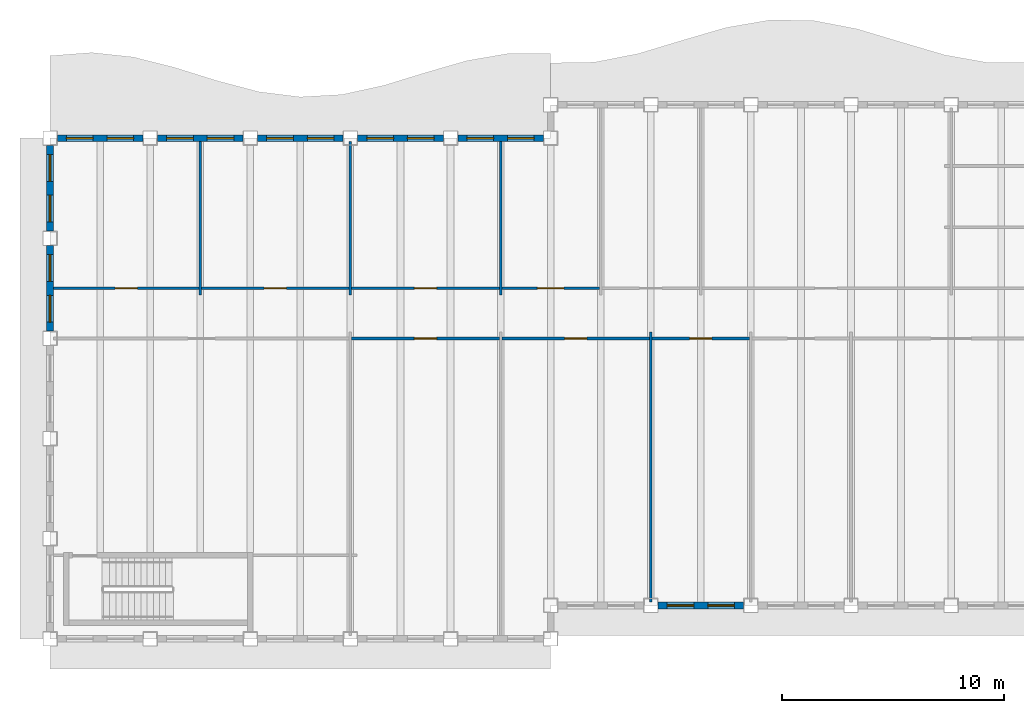
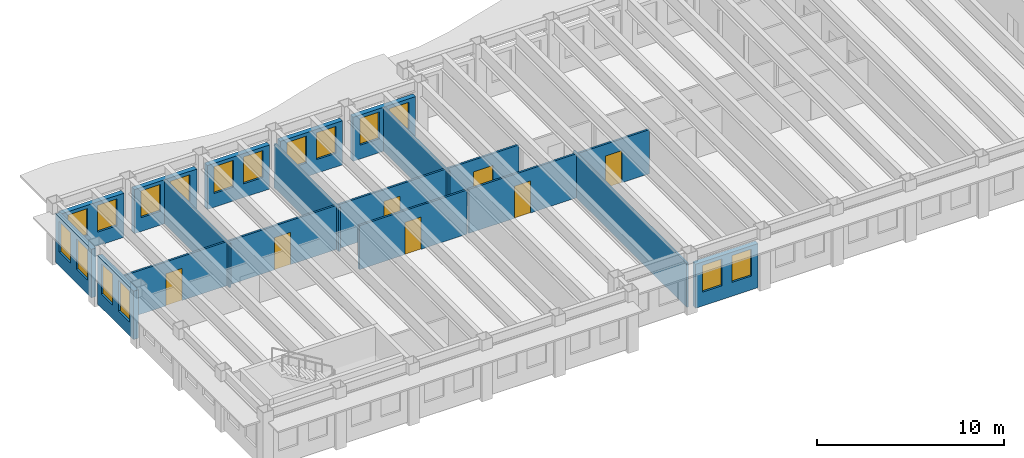
# One storey, part 3 of 12: 19 walls, 16 windows, 7 doors, 23 openings.
"""IFC4 building model written with IfcOpenShell, lengths in metres."""

from ifc_helpers import new_model, si_unit, direction, frame, frame_2d, origin, place, context, subcontext, project, spatial, rectangle, extrude, material, layer, layer_set, type_object, element, fill, save


model = new_model("IFC4")

# Units and contexts
model_context = context("Model", 3, precision=1e-05, world=origin(), true_north=direction((0.0, 1.0)))
body_context = subcontext(model_context, "Body", "Model", "MODEL_VIEW")
ifc_project = project(units=[si_unit("LENGTHUNIT", "METRE"), si_unit("AREAUNIT", "SQUARE_METRE"), si_unit("VOLUMEUNIT", "CUBIC_METRE"), si_unit("PLANEANGLEUNIT", "RADIAN"), si_unit("MASSUNIT", "GRAM", prefix="KILO")], contexts=[model_context])

# Site, building, storey
site_placement = place(None, origin())
site = spatial("IfcSite", under=ifc_project, at=site_placement, CompositionType="ELEMENT")
building_placement = place(site_placement, origin())
building = spatial("IfcBuilding", under=site, at=building_placement, Name="Sennacour Bend Tower", CompositionType="ELEMENT")
storey_placement = place(building_placement, frame((0.0, 0.0, 285.0)))
storey = spatial("IfcBuildingStorey", under=building, at=storey_placement, Name="L66", CompositionType="ELEMENT", Elevation=285.0)

# Walls
ifc_material_1 = material(Name="Plasterboard partition on steel studs", Category="steel")
ifc_layer_1 = layer(ifc_material_1, 0.1201171875, Name="Plasterboard partition on steel studs", Category="steel")
ifc_layer_set_1 = layer_set([ifc_layer_1], Name="Plasterboard partition on steel studs")
wall_type_1 = type_object("IfcWallType", Name="Partition 120", PredefinedType="PARTITIONING", material=ifc_layer_set_1)
for number, where, z_axis, x_axis, name in (
    (1, (6.75, 15.449951171875, 0.0), (0.0, 0.0, 1.0), (0.0, 1.0, 0.0), "P-L66-W003a"),
    (2, (13.5, 15.449951171875, 0.0), (0.0, 0.0, 1.0), (0.0, 1.0, 0.0), "P-L66-W006a"),
    (3, (20.25, 15.449951171875, 0.0), (0.0, 0.0, 1.0), (0.0, 1.0, 0.0), "P-L66-W008a"),
):
    element("IfcWall", number, at=place(storey_placement, frame(where, z_axis=z_axis, x_axis=x_axis)), inside=storey, type_object=wall_type_1, Name=name, PredefinedType="PARTITIONING", context=body_context, shape_type="SweptSolid", body=[
        extrude(rectangle(XDim=6.900146484375, YDim=0.1201171875, at=frame_2d((3.4501953125, 0.0))), origin(), (0.0, 0.0, 1.0), 2.8701171875),
    ])
wall_1_placement = place(storey_placement, frame((27.0, 1.64990234375, 0.0), z_axis=(0.0, 0.0, 1.0), x_axis=(0.0, 1.0, 0.0)))
element("IfcWall", 4, at=wall_1_placement, inside=storey, type_object=wall_type_1, Name="P-L66-W010a", PredefinedType="PARTITIONING", context=body_context, shape_type="SweptSolid", body=[
    extrude(rectangle(XDim=12.150146484375, YDim=0.1201171875, at=frame_2d((6.0751953125, 0.0))), origin(), (0.0, 0.0, 1.0), 2.8701171875),
])

# Wall, opening, door
wall_2_placement = place(storey_placement, frame((13.56005859375, 13.5, 0.0), z_axis=(0.0, 0.0, 1.0), x_axis=(1.0, 0.0, 0.0)))
wall_2 = element("IfcWall", 5, at=wall_2_placement, inside=storey, type_object=wall_type_1, Name="P-L66-W040ab", PredefinedType="PARTITIONING", context=body_context, shape_type="SweptSolid", body=[
    extrude(rectangle(XDim=6.6298828125, YDim=0.1201171875, at=frame_2d((3.31494140625, 0.0))), origin(), (0.0, 0.0, 1.0), 2.8701171875),
])
opening_1_placement = place(wall_2_placement, frame((2.81494140625, 0.0, 0.0)))
opening_1 = element("IfcOpeningElement", 6, at=opening_1_placement, cuts=wall_2, Name="Opening OD2", PredefinedType="OPENING", context=body_context, shape_type="SweptSolid", body=[
    extrude(rectangle(XDim=1.0, YDim=2.10009765625, at=frame_2d((0.5, 1.050048828125))), frame((0.0, 0.070068359375, 0.0), z_axis=(0.0, -1.0, 0.0), x_axis=(1.0, 0.0, 0.0)), (0.0, 0.0, 1.0), 0.14013671875),
])
ifc_material_2 = material(Name="Timber", Category="wood")
door_type_1 = type_object("IfcDoorType", Name="DR-OFFICE-1000", OperationType="NOTDEFINED", PredefinedType="DOOR", material=ifc_material_2)
door_1_placement = place(opening_1_placement, origin())
door_1 = element("IfcDoor", 7, at=door_1_placement, inside=storey, type_object=door_type_1, Name="Door", OperationType="SINGLE_SWING_LEFT", OverallHeight=2.10009765625, OverallWidth=1.0, PredefinedType="DOOR", context=body_context, shape_type="SweptSolid", body=[
    extrude(rectangle(XDim=1.0, YDim=2.10009765625, at=frame_2d((0.5, 1.050048828125))), frame((0.0, 0.02490234375, 0.0), z_axis=(0.0, -1.0, 0.0), x_axis=(1.0, 0.0, 0.0)), (0.0, 0.0, 1.0), 0.050048828125),
])
fill(opening_1, door_1)

wall_3_placement = place(storey_placement, frame((20.31005859375, 13.5, 0.0), z_axis=(0.0, 0.0, 1.0), x_axis=(1.0, 0.0, 0.0)))
wall_3 = element("IfcWall", 8, at=wall_3_placement, inside=storey, type_object=wall_type_1, Name="P-L66-W040ac", PredefinedType="PARTITIONING", context=body_context, shape_type="SweptSolid", body=[
    extrude(rectangle(XDim=6.6298828125, YDim=0.1201171875, at=frame_2d((3.31494140625, 0.0))), origin(), (0.0, 0.0, 1.0), 2.8701171875),
])
opening_2_placement = place(wall_3_placement, frame((2.81494140625, 0.0, 0.0)))
opening_2 = element("IfcOpeningElement", 9, at=opening_2_placement, cuts=wall_3, Name="Opening OD2", PredefinedType="OPENING", context=body_context, shape_type="SweptSolid", body=[
    extrude(rectangle(XDim=1.0, YDim=2.10009765625, at=frame_2d((0.5, 1.050048828125))), frame((0.0, 0.070068359375, 0.0), z_axis=(0.0, -1.0, 0.0), x_axis=(1.0, 0.0, 0.0)), (0.0, 0.0, 1.0), 0.14013671875),
])
door_2_placement = place(opening_2_placement, origin())
door_2 = element("IfcDoor", 10, at=door_2_placement, inside=storey, type_object=door_type_1, Name="Door", OperationType="SINGLE_SWING_LEFT", OverallHeight=2.10009765625, OverallWidth=1.0, PredefinedType="DOOR", context=body_context, shape_type="SweptSolid", body=[
    extrude(rectangle(XDim=1.0, YDim=2.10009765625, at=frame_2d((0.5, 1.050048828125))), frame((0.0, 0.02490234375, 0.0), z_axis=(0.0, -1.0, 0.0), x_axis=(1.0, 0.0, 0.0)), (0.0, 0.0, 1.0), 0.050048828125),
])
fill(opening_2, door_2)

wall_4_placement = place(storey_placement, frame((27.06005859375, 13.5, 0.0), z_axis=(0.0, 0.0, 1.0), x_axis=(1.0, 0.0, 0.0)))
wall_4 = element("IfcWall", 11, at=wall_4_placement, inside=storey, type_object=wall_type_1, Name="P-L66-W040ad", PredefinedType="PARTITIONING", context=body_context, shape_type="SweptSolid", body=[
    extrude(rectangle(XDim=4.3798828125, YDim=0.1201171875, at=frame_2d((2.18994140625, 0.0))), origin(), (0.0, 0.0, 1.0), 2.8701171875),
])
opening_3_placement = place(wall_4_placement, frame((1.68994140625, 0.0, 0.0)))
opening_3 = element("IfcOpeningElement", 12, at=opening_3_placement, cuts=wall_4, Name="Opening OD2", PredefinedType="OPENING", context=body_context, shape_type="SweptSolid", body=[
    extrude(rectangle(XDim=1.0, YDim=2.10009765625, at=frame_2d((0.5, 1.050048828125))), frame((0.0, 0.070068359375, 0.0), z_axis=(0.0, -1.0, 0.0), x_axis=(1.0, 0.0, 0.0)), (0.0, 0.0, 1.0), 0.14013671875),
])
door_3_placement = place(opening_3_placement, origin())
door_3 = element("IfcDoor", 13, at=door_3_placement, inside=storey, type_object=door_type_1, Name="Door", OperationType="SINGLE_SWING_LEFT", OverallHeight=2.10009765625, OverallWidth=1.0, PredefinedType="DOOR", context=body_context, shape_type="SweptSolid", body=[
    extrude(rectangle(XDim=1.0, YDim=2.10009765625, at=frame_2d((0.5, 1.050048828125))), frame((0.0, 0.02490234375, 0.0), z_axis=(0.0, -1.0, 0.0), x_axis=(1.0, 0.0, 0.0)), (0.0, 0.0, 1.0), 0.050048828125),
])
fill(opening_3, door_3)

wall_5_placement = place(storey_placement, frame((0.14990234375, 15.75, 0.0), z_axis=(0.0, 0.0, 1.0), x_axis=(1.0, 0.0, 0.0)))
wall_5 = element("IfcWall", 14, at=wall_5_placement, inside=storey, type_object=wall_type_1, Name="P-L66-W043aa", PredefinedType="PARTITIONING", context=body_context, shape_type="SweptSolid", body=[
    extrude(rectangle(XDim=6.5400390625, YDim=0.1201171875, at=frame_2d((3.27001953125, 0.0))), origin(), (0.0, 0.0, 1.0), 2.8701171875),
])
opening_4_placement = place(wall_5_placement, frame((2.780029296875, 0.0, 0.0)))
opening_4 = element("IfcOpeningElement", 15, at=opening_4_placement, cuts=wall_5, Name="Opening OD2", PredefinedType="OPENING", context=body_context, shape_type="SweptSolid", body=[
    extrude(rectangle(XDim=1.0, YDim=2.10009765625, at=frame_2d((0.5, 1.050048828125))), frame((0.0, 0.070068359375, 0.0), z_axis=(0.0, -1.0, 0.0), x_axis=(1.0, 0.0, 0.0)), (0.0, 0.0, 1.0), 0.14013671875),
])
door_4_placement = place(opening_4_placement, origin())
door_4 = element("IfcDoor", 16, at=door_4_placement, inside=storey, type_object=door_type_1, Name="Door", OperationType="SINGLE_SWING_RIGHT", OverallHeight=2.10009765625, OverallWidth=1.0, PredefinedType="DOOR", context=body_context, shape_type="SweptSolid", body=[
    extrude(rectangle(XDim=1.0, YDim=2.10009765625, at=frame_2d((0.5, 1.050048828125))), frame((0.0, 0.02490234375, 0.0), z_axis=(0.0, -1.0, 0.0), x_axis=(1.0, 0.0, 0.0)), (0.0, 0.0, 1.0), 0.050048828125),
])
fill(opening_4, door_4)

wall_6_placement = place(storey_placement, frame((6.81005859375, 15.75, 0.0), z_axis=(0.0, 0.0, 1.0), x_axis=(1.0, 0.0, 0.0)))
wall_6 = element("IfcWall", 17, at=wall_6_placement, inside=storey, type_object=wall_type_1, Name="P-L66-W043ab", PredefinedType="PARTITIONING", context=body_context, shape_type="SweptSolid", body=[
    extrude(rectangle(XDim=6.6298828125, YDim=0.1201171875, at=frame_2d((3.31494140625, 0.0))), origin(), (0.0, 0.0, 1.0), 2.8701171875),
])
opening_5_placement = place(wall_6_placement, frame((2.81494140625, 0.0, 0.0)))
opening_5 = element("IfcOpeningElement", 18, at=opening_5_placement, cuts=wall_6, Name="Opening OD2", PredefinedType="OPENING", context=body_context, shape_type="SweptSolid", body=[
    extrude(rectangle(XDim=1.0, YDim=2.10009765625, at=frame_2d((0.5, 1.050048828125))), frame((0.0, 0.070068359375, 0.0), z_axis=(0.0, -1.0, 0.0), x_axis=(1.0, 0.0, 0.0)), (0.0, 0.0, 1.0), 0.14013671875),
])
door_5_placement = place(opening_5_placement, origin())
door_5 = element("IfcDoor", 19, at=door_5_placement, inside=storey, type_object=door_type_1, Name="Door", OperationType="SINGLE_SWING_LEFT", OverallHeight=2.10009765625, OverallWidth=1.0, PredefinedType="DOOR", context=body_context, shape_type="SweptSolid", body=[
    extrude(rectangle(XDim=1.0, YDim=2.10009765625, at=frame_2d((0.5, 1.050048828125))), frame((0.0, 0.02490234375, 0.0), z_axis=(0.0, -1.0, 0.0), x_axis=(1.0, 0.0, 0.0)), (0.0, 0.0, 1.0), 0.050048828125),
])
fill(opening_5, door_5)

wall_7_placement = place(storey_placement, frame((13.56005859375, 15.75, 0.0), z_axis=(0.0, 0.0, 1.0), x_axis=(1.0, 0.0, 0.0)))
wall_7 = element("IfcWall", 20, at=wall_7_placement, inside=storey, type_object=wall_type_1, Name="P-L66-W043ac", PredefinedType="PARTITIONING", context=body_context, shape_type="SweptSolid", body=[
    extrude(rectangle(XDim=6.6298828125, YDim=0.1201171875, at=frame_2d((3.31494140625, 0.0))), origin(), (0.0, 0.0, 1.0), 2.8701171875),
])
opening_6_placement = place(wall_7_placement, frame((2.81494140625, 0.0, 0.0)))
opening_6 = element("IfcOpeningElement", 21, at=opening_6_placement, cuts=wall_7, Name="Opening OD2", PredefinedType="OPENING", context=body_context, shape_type="SweptSolid", body=[
    extrude(rectangle(XDim=1.0, YDim=2.10009765625, at=frame_2d((0.5, 1.050048828125))), frame((0.0, 0.070068359375, 0.0), z_axis=(0.0, -1.0, 0.0), x_axis=(1.0, 0.0, 0.0)), (0.0, 0.0, 1.0), 0.14013671875),
])
door_6_placement = place(opening_6_placement, origin())
door_6 = element("IfcDoor", 22, at=door_6_placement, inside=storey, type_object=door_type_1, Name="Door", OperationType="SINGLE_SWING_LEFT", OverallHeight=2.10009765625, OverallWidth=1.0, PredefinedType="DOOR", context=body_context, shape_type="SweptSolid", body=[
    extrude(rectangle(XDim=1.0, YDim=2.10009765625, at=frame_2d((0.5, 1.050048828125))), frame((0.0, 0.02490234375, 0.0), z_axis=(0.0, -1.0, 0.0), x_axis=(1.0, 0.0, 0.0)), (0.0, 0.0, 1.0), 0.050048828125),
])
fill(opening_6, door_6)

wall_8_placement = place(storey_placement, frame((20.31005859375, 15.75, 0.0), z_axis=(0.0, 0.0, 1.0), x_axis=(1.0, 0.0, 0.0)))
wall_8 = element("IfcWall", 23, at=wall_8_placement, inside=storey, type_object=wall_type_1, Name="P-L66-W043ad", PredefinedType="PARTITIONING", context=body_context, shape_type="SweptSolid", body=[
    extrude(rectangle(XDim=4.3798828125, YDim=0.1201171875, at=frame_2d((2.18994140625, 0.0))), origin(), (0.0, 0.0, 1.0), 2.8701171875),
])
opening_7_placement = place(wall_8_placement, frame((1.58984375, 0.0, 0.0)))
opening_7 = element("IfcOpeningElement", 24, at=opening_7_placement, cuts=wall_8, Name="Opening OD", PredefinedType="OPENING", context=body_context, shape_type="SweptSolid", body=[
    extrude(rectangle(XDim=1.199951171875, YDim=2.10009765625, at=frame_2d((0.60009765625, 1.050048828125))), frame((0.0, 0.070068359375, 0.0), z_axis=(0.0, -1.0, 0.0), x_axis=(1.0, 0.0, 0.0)), (0.0, 0.0, 1.0), 0.14013671875),
])
door_type_2 = type_object("IfcDoorType", Name="DR-OFFICE-1200", OperationType="NOTDEFINED", PredefinedType="DOOR", material=ifc_material_2)
door_7_placement = place(opening_7_placement, origin())
door_7 = element("IfcDoor", 25, at=door_7_placement, inside=storey, type_object=door_type_2, Name="Door", OperationType="SINGLE_SWING_LEFT", OverallHeight=2.10009765625, OverallWidth=1.199951171875, PredefinedType="DOOR", context=body_context, shape_type="SweptSolid", body=[
    extrude(rectangle(XDim=1.199951171875, YDim=2.10009765625, at=frame_2d((0.60009765625, 1.050048828125))), frame((0.0, 0.02490234375, 0.0), z_axis=(0.0, -1.0, 0.0), x_axis=(1.0, 0.0, 0.0)), (0.0, 0.0, 1.0), 0.050048828125),
])
fill(opening_7, door_7)

# Wall, openings, windows
ifc_material_3 = material(Name="Warm limestone cladding", Category="masonry")
ifc_layer_2 = layer(ifc_material_3, 0.050048828125, Name="Warm limestone cladding", Category="masonry")
ifc_material_4 = material(Name="Precast concrete C40/50", Category="concrete")
ifc_layer_3 = layer(ifc_material_4, 0.25, Name="Precast concrete C40/50", Category="concrete")
ifc_layer_set_2 = layer_set([ifc_layer_2, ifc_layer_3], Name="Precast concrete C40/50 with limestone cladding")
wall_type_2 = type_object("IfcWallType", Name="STONE-CLAD PRECAST SPANDREL 300", PredefinedType="STANDARD", material=ifc_layer_set_2)
wall_9_placement = place(storey_placement, frame((27.324951171875, 1.5, 0.0), z_axis=(0.0, 0.0, 1.0), x_axis=(1.0, 0.0, 0.0)))
wall_9 = element("IfcWall", 26, at=wall_9_placement, inside=storey, type_object=wall_type_2, Name="Stone spandrel and pier wall L66 01.01", PredefinedType="STANDARD", context=body_context, shape_type="SweptSolid", body=[
    extrude(rectangle(XDim=3.85009765625, YDim=0.300048828125, at=frame_2d((1.925048828125, 0.0))), origin(), (0.0, 0.0, 1.0), 2.8701171875),
])
opening_8_placement = place(wall_9_placement, frame((0.41259765625, 0.0, 0.89990234375)))
opening_8 = element("IfcOpeningElement", 27, at=opening_8_placement, cuts=wall_9, Name="Opening W16", PredefinedType="OPENING", context=body_context, shape_type="SweptSolid", body=[
    extrude(rectangle(XDim=1.199951171875, YDim=1.75, at=frame_2d((0.60009765625, 0.875))), frame((0.0, 0.16015625, 0.0), z_axis=(0.0, -1.0, 0.0), x_axis=(1.0, 0.0, 0.0)), (0.0, 0.0, 1.0), 0.320068359375),
])
opening_9_placement = place(wall_9_placement, frame((2.237548828125, 0.0, 0.89990234375)))
opening_9 = element("IfcOpeningElement", 28, at=opening_9_placement, cuts=wall_9, Name="Opening W16", PredefinedType="OPENING", context=body_context, shape_type="SweptSolid", body=[
    extrude(rectangle(XDim=1.199951171875, YDim=1.75, at=frame_2d((0.60009765625, 0.875))), frame((0.0, 0.16015625, 0.0), z_axis=(0.0, -1.0, 0.0), x_axis=(1.0, 0.0, 0.0)), (0.0, 0.0, 1.0), 0.320068359375),
])
ifc_material_5 = material(Name="Clear low-emissivity glass", Category="glass")
window_type_1 = type_object("IfcWindowType", Name="WIN-RIBBON-1200x1750", PartitioningType="SINGLE_PANEL", PredefinedType="WINDOW", material=ifc_material_5)
window_1_placement = place(opening_8_placement, origin())
window_1 = element("IfcWindow", 29, at=window_1_placement, inside=storey, type_object=window_type_1, Name="Ribbon window L66 01.01.0", OverallHeight=1.75, OverallWidth=1.199951171875, PartitioningType="SINGLE_PANEL", PredefinedType="WINDOW", context=body_context, shape_type="SweptSolid", body=[
    extrude(rectangle(XDim=1.199951171875, YDim=1.75, at=frame_2d((0.60009765625, 0.875))), frame((0.0, 0.030029296875, 0.0), z_axis=(0.0, -1.0, 0.0), x_axis=(1.0, 0.0, 0.0)), (0.0, 0.0, 1.0), 0.06005859375),
])
fill(opening_8, window_1)
window_2_placement = place(opening_9_placement, origin())
window_2 = element("IfcWindow", 30, at=window_2_placement, inside=storey, type_object=window_type_1, Name="Ribbon window L66 01.01.1", OverallHeight=1.75, OverallWidth=1.199951171875, PartitioningType="SINGLE_PANEL", PredefinedType="WINDOW", context=body_context, shape_type="SweptSolid", body=[
    extrude(rectangle(XDim=1.199951171875, YDim=1.75, at=frame_2d((0.60009765625, 0.875))), frame((0.0, 0.030029296875, 0.0), z_axis=(0.0, -1.0, 0.0), x_axis=(1.0, 0.0, 0.0)), (0.0, 0.0, 1.0), 0.06005859375),
])
fill(opening_9, window_2)

wall_10_placement = place(storey_placement, frame((22.175048828125, 22.5, 0.0), z_axis=(0.0, 0.0, 1.0), x_axis=(-1.0, 0.0, 0.0)))
wall_10 = element("IfcWall", 31, at=wall_10_placement, inside=storey, type_object=wall_type_2, Name="Stone spandrel and pier wall L66 09.00", PredefinedType="STANDARD", context=body_context, shape_type="SweptSolid", body=[
    extrude(rectangle(XDim=3.85009765625, YDim=0.300048828125, at=frame_2d((1.925048828125, 0.0))), origin(), (0.0, 0.0, 1.0), 2.8701171875),
])
opening_10_placement = place(wall_10_placement, frame((0.41259765625, 0.0, 0.89990234375)))
opening_10 = element("IfcOpeningElement", 32, at=opening_10_placement, cuts=wall_10, Name="Opening W16", PredefinedType="OPENING", context=body_context, shape_type="SweptSolid", body=[
    extrude(rectangle(XDim=1.199951171875, YDim=1.75, at=frame_2d((0.60009765625, 0.875))), frame((0.0, 0.16015625, 0.0), z_axis=(0.0, -1.0, 0.0), x_axis=(1.0, 0.0, 0.0)), (0.0, 0.0, 1.0), 0.320068359375),
])
opening_11_placement = place(wall_10_placement, frame((2.237548828125, 0.0, 0.89990234375)))
opening_11 = element("IfcOpeningElement", 33, at=opening_11_placement, cuts=wall_10, Name="Opening W16", PredefinedType="OPENING", context=body_context, shape_type="SweptSolid", body=[
    extrude(rectangle(XDim=1.199951171875, YDim=1.75, at=frame_2d((0.60009765625, 0.875))), frame((0.0, 0.16015625, 0.0), z_axis=(0.0, -1.0, 0.0), x_axis=(1.0, 0.0, 0.0)), (0.0, 0.0, 1.0), 0.320068359375),
])
window_3_placement = place(opening_10_placement, origin())
window_3 = element("IfcWindow", 34, at=window_3_placement, inside=storey, type_object=window_type_1, Name="Ribbon window L66 09.00.0", OverallHeight=1.75, OverallWidth=1.199951171875, PartitioningType="SINGLE_PANEL", PredefinedType="WINDOW", context=body_context, shape_type="SweptSolid", body=[
    extrude(rectangle(XDim=1.199951171875, YDim=1.75, at=frame_2d((0.60009765625, 0.875))), frame((0.0, 0.030029296875, 0.0), z_axis=(0.0, -1.0, 0.0), x_axis=(1.0, 0.0, 0.0)), (0.0, 0.0, 1.0), 0.06005859375),
])
fill(opening_10, window_3)
window_4_placement = place(opening_11_placement, origin())
window_4 = element("IfcWindow", 35, at=window_4_placement, inside=storey, type_object=window_type_1, Name="Ribbon window L66 09.00.1", OverallHeight=1.75, OverallWidth=1.199951171875, PartitioningType="SINGLE_PANEL", PredefinedType="WINDOW", context=body_context, shape_type="SweptSolid", body=[
    extrude(rectangle(XDim=1.199951171875, YDim=1.75, at=frame_2d((0.60009765625, 0.875))), frame((0.0, 0.030029296875, 0.0), z_axis=(0.0, -1.0, 0.0), x_axis=(1.0, 0.0, 0.0)), (0.0, 0.0, 1.0), 0.06005859375),
])
fill(opening_11, window_4)

wall_11_placement = place(storey_placement, frame((17.675048828125, 22.5, 0.0), z_axis=(0.0, 0.0, 1.0), x_axis=(-1.0, 0.0, 0.0)))
wall_11 = element("IfcWall", 36, at=wall_11_placement, inside=storey, type_object=wall_type_2, Name="Stone spandrel and pier wall L66 09.01", PredefinedType="STANDARD", context=body_context, shape_type="SweptSolid", body=[
    extrude(rectangle(XDim=3.85009765625, YDim=0.300048828125, at=frame_2d((1.925048828125, 0.0))), origin(), (0.0, 0.0, 1.0), 2.8701171875),
])
opening_12_placement = place(wall_11_placement, frame((0.41259765625, 0.0, 0.89990234375)))
opening_12 = element("IfcOpeningElement", 37, at=opening_12_placement, cuts=wall_11, Name="Opening W16", PredefinedType="OPENING", context=body_context, shape_type="SweptSolid", body=[
    extrude(rectangle(XDim=1.199951171875, YDim=1.75, at=frame_2d((0.60009765625, 0.875))), frame((0.0, 0.16015625, 0.0), z_axis=(0.0, -1.0, 0.0), x_axis=(1.0, 0.0, 0.0)), (0.0, 0.0, 1.0), 0.320068359375),
])
opening_13_placement = place(wall_11_placement, frame((2.237548828125, 0.0, 0.89990234375)))
opening_13 = element("IfcOpeningElement", 38, at=opening_13_placement, cuts=wall_11, Name="Opening W16", PredefinedType="OPENING", context=body_context, shape_type="SweptSolid", body=[
    extrude(rectangle(XDim=1.199951171875, YDim=1.75, at=frame_2d((0.60009765625, 0.875))), frame((0.0, 0.16015625, 0.0), z_axis=(0.0, -1.0, 0.0), x_axis=(1.0, 0.0, 0.0)), (0.0, 0.0, 1.0), 0.320068359375),
])
window_5_placement = place(opening_12_placement, origin())
window_5 = element("IfcWindow", 39, at=window_5_placement, inside=storey, type_object=window_type_1, Name="Ribbon window L66 09.01.0", OverallHeight=1.75, OverallWidth=1.199951171875, PartitioningType="SINGLE_PANEL", PredefinedType="WINDOW", context=body_context, shape_type="SweptSolid", body=[
    extrude(rectangle(XDim=1.199951171875, YDim=1.75, at=frame_2d((0.60009765625, 0.875))), frame((0.0, 0.030029296875, 0.0), z_axis=(0.0, -1.0, 0.0), x_axis=(1.0, 0.0, 0.0)), (0.0, 0.0, 1.0), 0.06005859375),
])
fill(opening_12, window_5)
window_6_placement = place(opening_13_placement, origin())
window_6 = element("IfcWindow", 40, at=window_6_placement, inside=storey, type_object=window_type_1, Name="Ribbon window L66 09.01.1", OverallHeight=1.75, OverallWidth=1.199951171875, PartitioningType="SINGLE_PANEL", PredefinedType="WINDOW", context=body_context, shape_type="SweptSolid", body=[
    extrude(rectangle(XDim=1.199951171875, YDim=1.75, at=frame_2d((0.60009765625, 0.875))), frame((0.0, 0.030029296875, 0.0), z_axis=(0.0, -1.0, 0.0), x_axis=(1.0, 0.0, 0.0)), (0.0, 0.0, 1.0), 0.06005859375),
])
fill(opening_13, window_6)

wall_12_placement = place(storey_placement, frame((13.175048828125, 22.5, 0.0), z_axis=(0.0, 0.0, 1.0), x_axis=(-1.0, 0.0, 0.0)))
wall_12 = element("IfcWall", 41, at=wall_12_placement, inside=storey, type_object=wall_type_2, Name="Stone spandrel and pier wall L66 09.02", PredefinedType="STANDARD", context=body_context, shape_type="SweptSolid", body=[
    extrude(rectangle(XDim=3.85009765625, YDim=0.300048828125, at=frame_2d((1.925048828125, 0.0))), origin(), (0.0, 0.0, 1.0), 2.8701171875),
])
opening_14_placement = place(wall_12_placement, frame((0.41259765625, 0.0, 0.89990234375)))
opening_14 = element("IfcOpeningElement", 42, at=opening_14_placement, cuts=wall_12, Name="Opening W16", PredefinedType="OPENING", context=body_context, shape_type="SweptSolid", body=[
    extrude(rectangle(XDim=1.199951171875, YDim=1.75, at=frame_2d((0.60009765625, 0.875))), frame((0.0, 0.16015625, 0.0), z_axis=(0.0, -1.0, 0.0), x_axis=(1.0, 0.0, 0.0)), (0.0, 0.0, 1.0), 0.320068359375),
])
opening_15_placement = place(wall_12_placement, frame((2.237548828125, 0.0, 0.89990234375)))
opening_15 = element("IfcOpeningElement", 43, at=opening_15_placement, cuts=wall_12, Name="Opening W16", PredefinedType="OPENING", context=body_context, shape_type="SweptSolid", body=[
    extrude(rectangle(XDim=1.199951171875, YDim=1.75, at=frame_2d((0.60009765625, 0.875))), frame((0.0, 0.16015625, 0.0), z_axis=(0.0, -1.0, 0.0), x_axis=(1.0, 0.0, 0.0)), (0.0, 0.0, 1.0), 0.320068359375),
])
window_7_placement = place(opening_14_placement, origin())
window_7 = element("IfcWindow", 44, at=window_7_placement, inside=storey, type_object=window_type_1, Name="Ribbon window L66 09.02.0", OverallHeight=1.75, OverallWidth=1.199951171875, PartitioningType="SINGLE_PANEL", PredefinedType="WINDOW", context=body_context, shape_type="SweptSolid", body=[
    extrude(rectangle(XDim=1.199951171875, YDim=1.75, at=frame_2d((0.60009765625, 0.875))), frame((0.0, 0.030029296875, 0.0), z_axis=(0.0, -1.0, 0.0), x_axis=(1.0, 0.0, 0.0)), (0.0, 0.0, 1.0), 0.06005859375),
])
fill(opening_14, window_7)
window_8_placement = place(opening_15_placement, origin())
window_8 = element("IfcWindow", 45, at=window_8_placement, inside=storey, type_object=window_type_1, Name="Ribbon window L66 09.02.1", OverallHeight=1.75, OverallWidth=1.199951171875, PartitioningType="SINGLE_PANEL", PredefinedType="WINDOW", context=body_context, shape_type="SweptSolid", body=[
    extrude(rectangle(XDim=1.199951171875, YDim=1.75, at=frame_2d((0.60009765625, 0.875))), frame((0.0, 0.030029296875, 0.0), z_axis=(0.0, -1.0, 0.0), x_axis=(1.0, 0.0, 0.0)), (0.0, 0.0, 1.0), 0.06005859375),
])
fill(opening_15, window_8)

wall_13_placement = place(storey_placement, frame((8.675048828125, 22.5, 0.0), z_axis=(0.0, 0.0, 1.0), x_axis=(-1.0, 0.0, 0.0)))
wall_13 = element("IfcWall", 46, at=wall_13_placement, inside=storey, type_object=wall_type_2, Name="Stone spandrel and pier wall L66 09.03", PredefinedType="STANDARD", context=body_context, shape_type="SweptSolid", body=[
    extrude(rectangle(XDim=3.85009765625, YDim=0.300048828125, at=frame_2d((1.925048828125, 0.0))), origin(), (0.0, 0.0, 1.0), 2.8701171875),
])
opening_16_placement = place(wall_13_placement, frame((0.41259765625, 0.0, 0.89990234375)))
opening_16 = element("IfcOpeningElement", 47, at=opening_16_placement, cuts=wall_13, Name="Opening W16", PredefinedType="OPENING", context=body_context, shape_type="SweptSolid", body=[
    extrude(rectangle(XDim=1.199951171875, YDim=1.75, at=frame_2d((0.60009765625, 0.875))), frame((0.0, 0.16015625, 0.0), z_axis=(0.0, -1.0, 0.0), x_axis=(1.0, 0.0, 0.0)), (0.0, 0.0, 1.0), 0.320068359375),
])
opening_17_placement = place(wall_13_placement, frame((2.237548828125, 0.0, 0.89990234375)))
opening_17 = element("IfcOpeningElement", 48, at=opening_17_placement, cuts=wall_13, Name="Opening W16", PredefinedType="OPENING", context=body_context, shape_type="SweptSolid", body=[
    extrude(rectangle(XDim=1.199951171875, YDim=1.75, at=frame_2d((0.60009765625, 0.875))), frame((0.0, 0.16015625, 0.0), z_axis=(0.0, -1.0, 0.0), x_axis=(1.0, 0.0, 0.0)), (0.0, 0.0, 1.0), 0.320068359375),
])
window_9_placement = place(opening_16_placement, origin())
window_9 = element("IfcWindow", 49, at=window_9_placement, inside=storey, type_object=window_type_1, Name="Ribbon window L66 09.03.0", OverallHeight=1.75, OverallWidth=1.199951171875, PartitioningType="SINGLE_PANEL", PredefinedType="WINDOW", context=body_context, shape_type="SweptSolid", body=[
    extrude(rectangle(XDim=1.199951171875, YDim=1.75, at=frame_2d((0.60009765625, 0.875))), frame((0.0, 0.030029296875, 0.0), z_axis=(0.0, -1.0, 0.0), x_axis=(1.0, 0.0, 0.0)), (0.0, 0.0, 1.0), 0.06005859375),
])
fill(opening_16, window_9)
window_10_placement = place(opening_17_placement, origin())
window_10 = element("IfcWindow", 50, at=window_10_placement, inside=storey, type_object=window_type_1, Name="Ribbon window L66 09.03.1", OverallHeight=1.75, OverallWidth=1.199951171875, PartitioningType="SINGLE_PANEL", PredefinedType="WINDOW", context=body_context, shape_type="SweptSolid", body=[
    extrude(rectangle(XDim=1.199951171875, YDim=1.75, at=frame_2d((0.60009765625, 0.875))), frame((0.0, 0.030029296875, 0.0), z_axis=(0.0, -1.0, 0.0), x_axis=(1.0, 0.0, 0.0)), (0.0, 0.0, 1.0), 0.06005859375),
])
fill(opening_17, window_10)

wall_14_placement = place(storey_placement, frame((4.175048828125, 22.5, 0.0), z_axis=(0.0, 0.0, 1.0), x_axis=(-1.0, 0.0, 0.0)))
wall_14 = element("IfcWall", 51, at=wall_14_placement, inside=storey, type_object=wall_type_2, Name="Stone spandrel and pier wall L66 09.04", PredefinedType="STANDARD", context=body_context, shape_type="SweptSolid", body=[
    extrude(rectangle(XDim=3.85009765625, YDim=0.300048828125, at=frame_2d((1.925048828125, 0.0))), origin(), (0.0, 0.0, 1.0), 2.8701171875),
])
opening_18_placement = place(wall_14_placement, frame((0.41259765625, 0.0, 0.89990234375)))
opening_18 = element("IfcOpeningElement", 52, at=opening_18_placement, cuts=wall_14, Name="Opening W16", PredefinedType="OPENING", context=body_context, shape_type="SweptSolid", body=[
    extrude(rectangle(XDim=1.199951171875, YDim=1.75, at=frame_2d((0.60009765625, 0.875))), frame((0.0, 0.16015625, 0.0), z_axis=(0.0, -1.0, 0.0), x_axis=(1.0, 0.0, 0.0)), (0.0, 0.0, 1.0), 0.320068359375),
])
opening_19_placement = place(wall_14_placement, frame((2.237548828125, 0.0, 0.89990234375)))
opening_19 = element("IfcOpeningElement", 53, at=opening_19_placement, cuts=wall_14, Name="Opening W16", PredefinedType="OPENING", context=body_context, shape_type="SweptSolid", body=[
    extrude(rectangle(XDim=1.199951171875, YDim=1.75, at=frame_2d((0.60009765625, 0.875))), frame((0.0, 0.16015625, 0.0), z_axis=(0.0, -1.0, 0.0), x_axis=(1.0, 0.0, 0.0)), (0.0, 0.0, 1.0), 0.320068359375),
])
window_11_placement = place(opening_18_placement, origin())
window_11 = element("IfcWindow", 54, at=window_11_placement, inside=storey, type_object=window_type_1, Name="Ribbon window L66 09.04.0", OverallHeight=1.75, OverallWidth=1.199951171875, PartitioningType="SINGLE_PANEL", PredefinedType="WINDOW", context=body_context, shape_type="SweptSolid", body=[
    extrude(rectangle(XDim=1.199951171875, YDim=1.75, at=frame_2d((0.60009765625, 0.875))), frame((0.0, 0.030029296875, 0.0), z_axis=(0.0, -1.0, 0.0), x_axis=(1.0, 0.0, 0.0)), (0.0, 0.0, 1.0), 0.06005859375),
])
fill(opening_18, window_11)
window_12_placement = place(opening_19_placement, origin())
window_12 = element("IfcWindow", 55, at=window_12_placement, inside=storey, type_object=window_type_1, Name="Ribbon window L66 09.04.1", OverallHeight=1.75, OverallWidth=1.199951171875, PartitioningType="SINGLE_PANEL", PredefinedType="WINDOW", context=body_context, shape_type="SweptSolid", body=[
    extrude(rectangle(XDim=1.199951171875, YDim=1.75, at=frame_2d((0.60009765625, 0.875))), frame((0.0, 0.030029296875, 0.0), z_axis=(0.0, -1.0, 0.0), x_axis=(1.0, 0.0, 0.0)), (0.0, 0.0, 1.0), 0.06005859375),
])
fill(opening_19, window_12)

wall_15_placement = place(storey_placement, frame((0.0, 22.175048828125, 0.0), z_axis=(0.0, 0.0, 1.0), x_axis=(0.0, -1.0, 0.0)))
wall_15 = element("IfcWall", 56, at=wall_15_placement, inside=storey, type_object=wall_type_2, Name="Stone spandrel and pier wall L66 10.00", PredefinedType="STANDARD", context=body_context, shape_type="SweptSolid", body=[
    extrude(rectangle(XDim=3.85009765625, YDim=0.300048828125, at=frame_2d((1.925048828125, 0.0))), origin(), (0.0, 0.0, 1.0), 3.162109375),
])
opening_20_placement = place(wall_15_placement, frame((0.41259765625, 0.0, 0.89990234375)))
opening_20 = element("IfcOpeningElement", 57, at=opening_20_placement, cuts=wall_15, Name="Opening W14", PredefinedType="OPENING", context=body_context, shape_type="SweptSolid", body=[
    extrude(rectangle(XDim=1.199951171875, YDim=2.0, at=frame_2d((0.60009765625, 1.0))), frame((0.0, 0.16015625, 0.0), z_axis=(0.0, -1.0, 0.0), x_axis=(1.0, 0.0, 0.0)), (0.0, 0.0, 1.0), 0.320068359375),
])
opening_21_placement = place(wall_15_placement, frame((2.237548828125, 0.0, 0.89990234375)))
opening_21 = element("IfcOpeningElement", 58, at=opening_21_placement, cuts=wall_15, Name="Opening W14", PredefinedType="OPENING", context=body_context, shape_type="SweptSolid", body=[
    extrude(rectangle(XDim=1.199951171875, YDim=2.0, at=frame_2d((0.60009765625, 1.0))), frame((0.0, 0.16015625, 0.0), z_axis=(0.0, -1.0, 0.0), x_axis=(1.0, 0.0, 0.0)), (0.0, 0.0, 1.0), 0.320068359375),
])
window_type_2 = type_object("IfcWindowType", Name="WIN-RIBBON-1200x2000", PartitioningType="SINGLE_PANEL", PredefinedType="WINDOW", material=ifc_material_5)
window_13_placement = place(opening_20_placement, origin())
window_13 = element("IfcWindow", 59, at=window_13_placement, inside=storey, type_object=window_type_2, Name="Ribbon window L66 10.00.0", OverallHeight=2.0, OverallWidth=1.199951171875, PartitioningType="SINGLE_PANEL", PredefinedType="WINDOW", context=body_context, shape_type="SweptSolid", body=[
    extrude(rectangle(XDim=1.199951171875, YDim=2.0, at=frame_2d((0.60009765625, 1.0))), frame((0.0, 0.030029296875, 0.0), z_axis=(0.0, -1.0, 0.0), x_axis=(1.0, 0.0, 0.0)), (0.0, 0.0, 1.0), 0.06005859375),
])
fill(opening_20, window_13)
window_14_placement = place(opening_21_placement, origin())
window_14 = element("IfcWindow", 60, at=window_14_placement, inside=storey, type_object=window_type_2, Name="Ribbon window L66 10.00.1", OverallHeight=2.0, OverallWidth=1.199951171875, PartitioningType="SINGLE_PANEL", PredefinedType="WINDOW", context=body_context, shape_type="SweptSolid", body=[
    extrude(rectangle(XDim=1.199951171875, YDim=2.0, at=frame_2d((0.60009765625, 1.0))), frame((0.0, 0.030029296875, 0.0), z_axis=(0.0, -1.0, 0.0), x_axis=(1.0, 0.0, 0.0)), (0.0, 0.0, 1.0), 0.06005859375),
])
fill(opening_21, window_14)

wall_16_placement = place(storey_placement, frame((0.0, 17.675048828125, 0.0), z_axis=(0.0, 0.0, 1.0), x_axis=(0.0, -1.0, 0.0)))
wall_16 = element("IfcWall", 61, at=wall_16_placement, inside=storey, type_object=wall_type_2, Name="Stone spandrel and pier wall L66 10.01", PredefinedType="STANDARD", context=body_context, shape_type="SweptSolid", body=[
    extrude(rectangle(XDim=3.85009765625, YDim=0.300048828125, at=frame_2d((1.925048828125, 0.0))), origin(), (0.0, 0.0, 1.0), 3.162109375),
])
opening_22_placement = place(wall_16_placement, frame((0.41259765625, 0.0, 0.89990234375)))
opening_22 = element("IfcOpeningElement", 62, at=opening_22_placement, cuts=wall_16, Name="Opening W14", PredefinedType="OPENING", context=body_context, shape_type="SweptSolid", body=[
    extrude(rectangle(XDim=1.199951171875, YDim=2.0, at=frame_2d((0.60009765625, 1.0))), frame((0.0, 0.16015625, 0.0), z_axis=(0.0, -1.0, 0.0), x_axis=(1.0, 0.0, 0.0)), (0.0, 0.0, 1.0), 0.320068359375),
])
opening_23_placement = place(wall_16_placement, frame((2.237548828125, 0.0, 0.89990234375)))
opening_23 = element("IfcOpeningElement", 63, at=opening_23_placement, cuts=wall_16, Name="Opening W14", PredefinedType="OPENING", context=body_context, shape_type="SweptSolid", body=[
    extrude(rectangle(XDim=1.199951171875, YDim=2.0, at=frame_2d((0.60009765625, 1.0))), frame((0.0, 0.16015625, 0.0), z_axis=(0.0, -1.0, 0.0), x_axis=(1.0, 0.0, 0.0)), (0.0, 0.0, 1.0), 0.320068359375),
])
window_15_placement = place(opening_22_placement, origin())
window_15 = element("IfcWindow", 64, at=window_15_placement, inside=storey, type_object=window_type_2, Name="Ribbon window L66 10.01.0", OverallHeight=2.0, OverallWidth=1.199951171875, PartitioningType="SINGLE_PANEL", PredefinedType="WINDOW", context=body_context, shape_type="SweptSolid", body=[
    extrude(rectangle(XDim=1.199951171875, YDim=2.0, at=frame_2d((0.60009765625, 1.0))), frame((0.0, 0.030029296875, 0.0), z_axis=(0.0, -1.0, 0.0), x_axis=(1.0, 0.0, 0.0)), (0.0, 0.0, 1.0), 0.06005859375),
])
fill(opening_22, window_15)
window_16_placement = place(opening_23_placement, origin())
window_16 = element("IfcWindow", 65, at=window_16_placement, inside=storey, type_object=window_type_2, Name="Ribbon window L66 10.01.1", OverallHeight=2.0, OverallWidth=1.199951171875, PartitioningType="SINGLE_PANEL", PredefinedType="WINDOW", context=body_context, shape_type="SweptSolid", body=[
    extrude(rectangle(XDim=1.199951171875, YDim=2.0, at=frame_2d((0.60009765625, 1.0))), frame((0.0, 0.030029296875, 0.0), z_axis=(0.0, -1.0, 0.0), x_axis=(1.0, 0.0, 0.0)), (0.0, 0.0, 1.0), 0.06005859375),
])
fill(opening_23, window_16)

save(model, "model.ifc")
